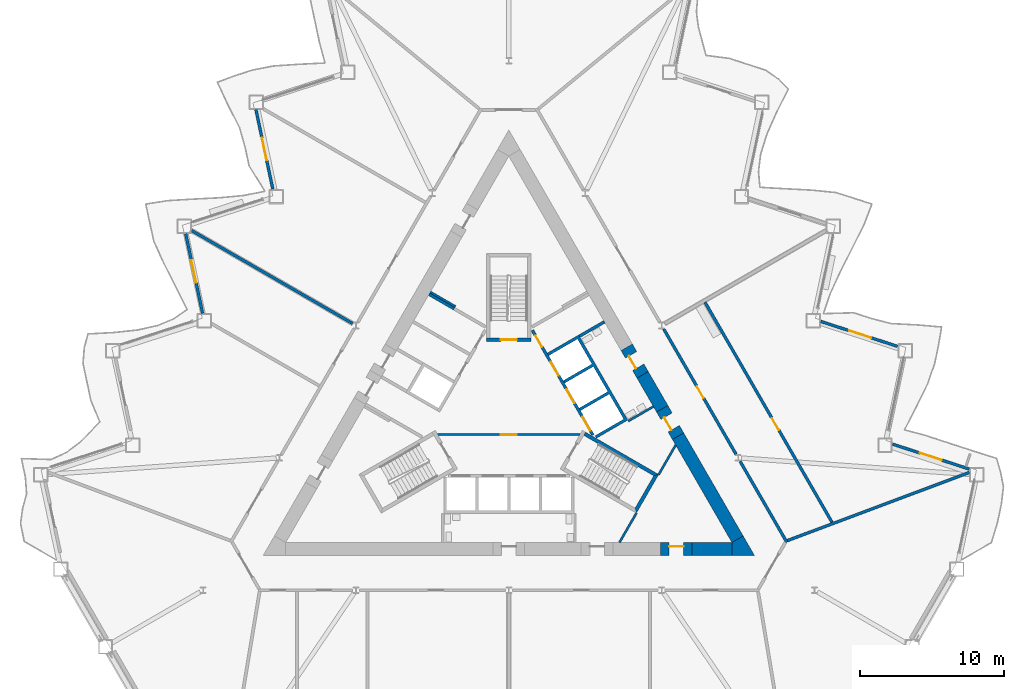
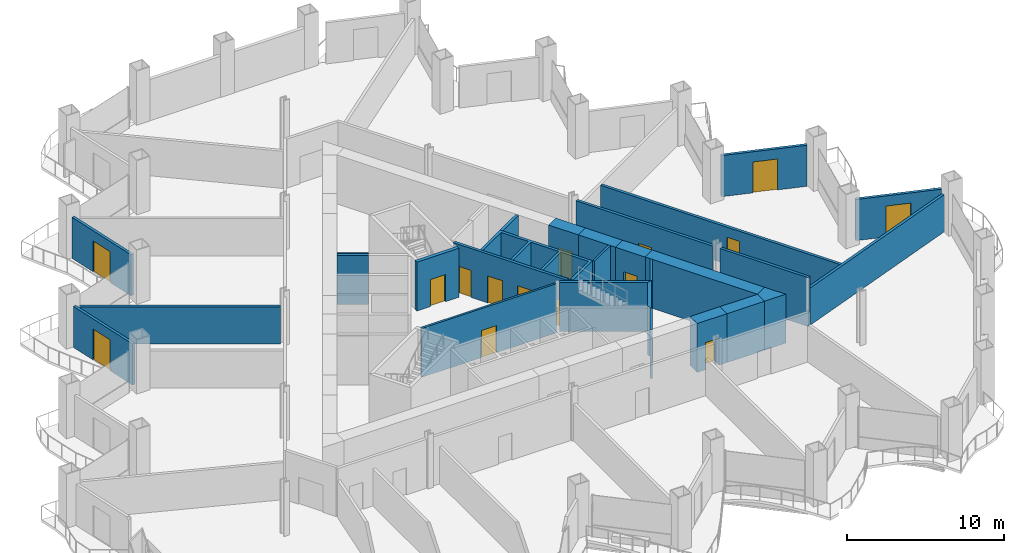
# One storey, part 11 of 20: 28 walls, 15 doors, 15 openings.
"""IFC4 building model written with IfcOpenShell, lengths in metres."""

import ifcopenshell
import ifcopenshell.guid

model = None  # the IFC model being written
_history = None  # IfcOwnerHistory: only IFC2X3 demands one
_inside = {}  # id of a spatial element -> (the spatial element, [elements in it])
_under = {}  # id of a project, library or spatial element -> (it, [spatial elements below it])
_declared = {}  # id of a project -> (the project, [libraries it declares])
_typed = {}  # id of a type object -> (the type object, [elements of that type])
_made_of = {}  # id of a material, layer set ... -> (it, [elements and type objects made of it])


def new_model(schema):
    """Start an empty IFC model of exactly this schema.

    Asked for "IFC4X3", IfcOpenShell would pick the latest addendum, in which some entities
    have other attributes; the version numbers below select the first issue.
    IFC2X3 requires an IfcOwnerHistory on every rooted entity: one is made here for all.
    """
    global model, _history
    if schema == "IFC4X3":
        model = ifcopenshell.file(schema_version=(4, 3, 0, 0))
    else:
        model = ifcopenshell.file(schema=schema)
    _inside.clear()
    _under.clear()
    _declared.clear()
    _typed.clear()
    _made_of.clear()
    _history = None
    if model.schema == "IFC2X3":
        org = make("IfcOrganization", Name="unknown")
        user = make(
            "IfcPersonAndOrganization",
            ThePerson=make("IfcPerson", FamilyName="unknown"),
            TheOrganization=org,
        )
        app = make(
            "IfcApplication",
            ApplicationDeveloper=org,
            Version="unknown",
            ApplicationFullName="unknown",
            ApplicationIdentifier="unknown",
        )
        _history = make(
            "IfcOwnerHistory",
            OwningUser=user,
            OwningApplication=app,
            ChangeAction="ADDED",
            CreationDate=0,
        )
    return model


def make(cls, **values):
    """One entity of the class cls with the attributes given. An attribute that is None is left unset."""
    return model.create_entity(
        cls, **{name: value for name, value in values.items() if value is not None}
    )


def rooted(cls, **values):
    """An entity with a GlobalId (a new one), such as an element, a storey or a relation."""
    return make(cls, GlobalId=ifcopenshell.guid.new(), OwnerHistory=_history, **values)


def si_unit(unit_type, name, prefix=None):
    """IfcSIUnit, for example si_unit("LENGTHUNIT", "METRE", prefix="MILLI")."""
    return make("IfcSIUnit", UnitType=unit_type, Prefix=prefix, Name=name)


def assignment(units):
    """IfcUnitAssignment: the units of a project."""
    return None if units is None else make("IfcUnitAssignment", Units=units)


def point(xyz):
    """IfcCartesianPoint."""
    return None if xyz is None else make("IfcCartesianPoint", Coordinates=xyz)


def direction(xyz):
    """IfcDirection."""
    return None if xyz is None else make("IfcDirection", DirectionRatios=xyz)


def frame(location, z_axis=None, x_axis=None):
    """IfcAxis2Placement3D, a coordinate frame: its origin and axes. An axis left out is left unset."""
    return make(
        "IfcAxis2Placement3D",
        Location=point(location),
        Axis=direction(z_axis),
        RefDirection=direction(x_axis),
    )


def frame_2d(location, x_axis=None):
    """IfcAxis2Placement2D, a coordinate frame in the plane: its origin and x axis."""
    return make(
        "IfcAxis2Placement2D", Location=point(location), RefDirection=direction(x_axis)
    )


def origin():
    """The frame at (0, 0, 0) with its axes left unset."""
    return frame((0.0, 0.0, 0.0))


def place(relative_to, where):
    """IfcLocalPlacement: puts the frame where relative to a parent placement (None: the world)."""
    return make(
        "IfcLocalPlacement", PlacementRelTo=relative_to, RelativePlacement=where
    )


def context(
    kind, dimensions, precision=None, world=None, true_north=None, identifier=None
):
    """IfcGeometricRepresentationContext, for example the 3D "Model" context."""
    return make(
        "IfcGeometricRepresentationContext",
        ContextIdentifier=identifier,
        ContextType=kind,
        CoordinateSpaceDimension=dimensions,
        Precision=precision,
        WorldCoordinateSystem=world,
        TrueNorth=true_north,
    )


def subcontext(parent, identifier, kind, view, scale=None):
    """IfcGeometricRepresentationSubContext, for example "Body" below "Model"."""
    return make(
        "IfcGeometricRepresentationSubContext",
        ContextIdentifier=identifier,
        ContextType=kind,
        ParentContext=parent,
        TargetScale=scale,
        TargetView=view,
    )


def project(units=None, contexts=None):
    """IfcProject with its units and contexts."""
    return rooted(
        "IfcProject",
        Name="project",
        RepresentationContexts=contexts,
        UnitsInContext=assignment(units),
    )


def spatial(cls, under=None, at=None, **own):
    """A site, building, storey or space (cls), placed at a placement, below another one or the project."""
    s = rooted(cls, ObjectPlacement=at, **own)
    if under is not None:
        _under.setdefault(under.id(), (under, []))[1].append(s)
    return s


def polyline(points):
    """IfcPolyline through the points."""
    return make("IfcPolyline", Points=[point(p) for p in points])


def profile(cls, at=None, kind="AREA", **sizes):
    """A parametric profile (cls). Its sizes go by their IFC names, for example OverallWidth=200.0."""
    return make(cls, ProfileType=kind, Position=at, **sizes)


def rectangle(**sizes):
    """IfcRectangleProfileDef."""
    return profile("IfcRectangleProfileDef", **sizes)


def outline(outer, holes=None, kind="AREA"):
    """IfcArbitraryClosedProfileDef: a profile drawn as a closed curve; with holes, ...WithVoids."""
    if holes is None:
        return make("IfcArbitraryClosedProfileDef", ProfileType=kind, OuterCurve=outer)
    return make(
        "IfcArbitraryProfileDefWithVoids",
        ProfileType=kind,
        OuterCurve=outer,
        InnerCurves=holes,
    )


def extrude(swept, where, along, depth):
    """IfcExtrudedAreaSolid: the profile swept, set in the frame where, extruded along a direction by depth."""
    return make(
        "IfcExtrudedAreaSolid",
        SweptArea=swept,
        Position=where,
        ExtrudedDirection=direction(along),
        Depth=depth,
    )


def shape(context_of_items, identifier, shape_type, items):
    """IfcShapeRepresentation: the items that make up one representation, for example the "Body"."""
    return make(
        "IfcShapeRepresentation",
        ContextOfItems=context_of_items,
        RepresentationIdentifier=identifier,
        RepresentationType=shape_type,
        Items=items,
    )


def material(Name=None, Category=None):
    """IfcMaterial."""
    return make("IfcMaterial", Name=Name, Category=Category)


def layer(
    of_material, thickness, ventilated=None, Name=None, Category=None, Priority=None
):
    """IfcMaterialLayer: one layer of a wall or slab, of a material (None: an air gap)."""
    return make(
        "IfcMaterialLayer",
        Material=of_material,
        LayerThickness=thickness,
        IsVentilated=ventilated,
        Name=Name,
        Category=Category,
        Priority=Priority,
    )


def layer_set(layers, Name=None):
    """IfcMaterialLayerSet."""
    return make("IfcMaterialLayerSet", MaterialLayers=layers, LayerSetName=Name)


def made_of(thing, what):
    """Note that an element or type object is made of a material, layer set ...; save() writes the relation."""
    if what is not None:
        _made_of.setdefault(what.id(), (what, []))[1].append(thing)
    return thing


def type_object(cls, material=None, **own):
    """A type object (cls), such as IfcWallType, which elements share."""
    return made_of(rooted(cls, **own), material)


def element(
    cls,
    number,
    at=None,
    inside=None,
    cuts=None,
    type_object=None,
    material=None,
    context=None,
    identifier="Body",
    shape_type=None,
    held_by="IfcProductDefinitionShape",
    body=None,
    shapes=None,
    **own,
):
    """One element of the class cls, such as IfcWall. Its Tag is "e" and its number.

    at: its placement. inside: the storey or other place that contains it. cuts: it is an
    opening in that element (IfcRelVoidsElement). A single representation is given by context,
    identifier, shape_type and body (its items); several are given by shapes. held_by: the class
    of the entity that holds the representations. save() writes the other relations.
    """
    e = rooted(cls, Tag="e%d" % number, ObjectPlacement=at, **own)
    if body is not None:
        shapes = [shape(context, identifier, shape_type, body)]
    if shapes is not None:
        e.Representation = make(held_by, Representations=shapes)
    if inside is not None:
        _inside.setdefault(inside.id(), (inside, []))[1].append(e)
    if cuts is not None:
        rooted(
            "IfcRelVoidsElement", RelatingBuildingElement=cuts, RelatedOpeningElement=e
        )
    if type_object is not None:
        _typed.setdefault(type_object.id(), (type_object, []))[1].append(e)
    return made_of(e, material)


def fill(opening, filler):
    """IfcRelFillsElement: the door or window that sits in an opening."""
    return rooted(
        "IfcRelFillsElement",
        RelatingOpeningElement=opening,
        RelatedBuildingElement=filler,
    )


def aggregate(whole, parts):
    """IfcRelAggregates: a whole, such as a stair, and the parts it consists of."""
    return rooted("IfcRelAggregates", RelatingObject=whole, RelatedObjects=parts)


def save(model, path):
    """Write the relations noted so far, then the file.

    IfcRelAggregates (storeys below a building ...), IfcRelContainedInSpatialStructure (elements
    in a storey), IfcRelDefinesByType, IfcRelAssociatesMaterial and IfcRelDeclares: one each for
    every whole, place, type object, material and project.
    """
    for whole, parts in _under.values():
        aggregate(whole, parts)
    for where, things in _inside.values():
        rooted(
            "IfcRelContainedInSpatialStructure",
            RelatedElements=things,
            RelatingStructure=where,
        )
    for kind, things in _typed.values():
        rooted("IfcRelDefinesByType", RelatedObjects=things, RelatingType=kind)
    for what, things in _made_of.values():
        rooted("IfcRelAssociatesMaterial", RelatedObjects=things, RelatingMaterial=what)
    for by, libraries in _declared.values():
        rooted("IfcRelDeclares", RelatingContext=by, RelatedDefinitions=libraries)
    model.write(path)


model = new_model("IFC4")

# Units and contexts
model_context = context("Model", 3, precision=1e-05, world=origin(), true_north=direction((0.0, 1.0)))
body_context = subcontext(model_context, "Body", "Model", "MODEL_VIEW")
ifc_project = project(units=[si_unit("LENGTHUNIT", "METRE"), si_unit("AREAUNIT", "SQUARE_METRE"), si_unit("VOLUMEUNIT", "CUBIC_METRE"), si_unit("PLANEANGLEUNIT", "RADIAN"), si_unit("MASSUNIT", "GRAM", prefix="KILO")], contexts=[model_context])

# Site, building, storey
site_placement = place(None, origin())
site = spatial("IfcSite", under=ifc_project, at=site_placement, CompositionType="ELEMENT")
building_placement = place(site_placement, origin())
building = spatial("IfcBuilding", under=site, at=building_placement, Name="Cormorant Prow Tower", CompositionType="ELEMENT")
storey_placement = place(building_placement, frame((0.0, 0.0, 59.39990234375)))
storey = spatial("IfcBuildingStorey", under=building, at=storey_placement, Name="L12", CompositionType="ELEMENT", Elevation=59.39990234375)

# Wall, opening, door
ifc_material_1 = material(Name="Gypsum board partition")
ifc_layer_1 = layer(ifc_material_1, 0.14990234375)
ifc_layer_set_1 = layer_set([ifc_layer_1], Name="Gypsum board partition")
wall_type_1 = type_object("IfcWallType", Name="Core partition 150", PredefinedType="PARTITIONING", material=ifc_layer_set_1)
wall_1_placement = place(storey_placement, frame((-4.941162109375, -1.449951171875, 0.0), z_axis=(0.0, 0.0, 1.0), x_axis=(1.0, 0.0, 0.0)))
wall_1 = element("IfcWall", 1, at=wall_1_placement, inside=storey, type_object=wall_type_1, Name="Firefighting lobby partition", PredefinedType="PARTITIONING", context=body_context, shape_type="SweptSolid", body=[
    extrude(rectangle(XDim=9.88232421875, YDim=0.14990234375, at=frame_2d((4.941162109375, 0.0))), origin(), (0.0, 0.0, 1.0), 3.800048828125),
])
opening_1_placement = place(wall_1_placement, frame((4.39111328125, 0.0, 0.0)))
opening_1 = element("IfcOpeningElement", 2, at=opening_1_placement, cuts=wall_1, Name="Opening L12-C11", PredefinedType="OPENING", context=body_context, shape_type="SweptSolid", body=[
    extrude(rectangle(XDim=1.10009765625, YDim=2.10009765625, at=frame_2d((0.550048828125, 1.050048828125))), frame((0.0, 0.0849609375, 0.0), z_axis=(0.0, -1.0, 0.0), x_axis=(1.0, 0.0, 0.0)), (0.0, 0.0, 1.0), 0.169921875),
])
ifc_material_2 = material(Name="Painted steel", Category="steel")
door_type_1 = type_object("IfcDoorType", Name="Firefighting lobby door 1100x2100", OperationType="NOTDEFINED", PredefinedType="DOOR", material=ifc_material_2)
door_1_placement = place(opening_1_placement, origin())
door_1 = element("IfcDoor", 3, at=door_1_placement, inside=storey, type_object=door_type_1, Name="Firefighting lobby door", OperationType="SINGLE_SWING_RIGHT", OverallHeight=2.10009765625, OverallWidth=1.10009765625, PredefinedType="DOOR", context=body_context, shape_type="SweptSolid", body=[
    extrude(rectangle(XDim=1.10009765625, YDim=2.10009765625, at=frame_2d((0.550048828125, 1.050048828125))), frame((0.0, 0.02490234375, 0.0), z_axis=(0.0, -1.0, 0.0), x_axis=(1.0, 0.0, 0.0)), (0.0, 0.0, 1.0), 0.050048828125),
])
fill(opening_1, door_1)

# Walls
for number, where, z_axis, x_axis, name in (
    (4, (8.268310546875, -0.509033203125, 0.0), (0.0, 0.0, 1.0), (0.866035824272, 0.499981950752, 0.0), "Service room partition"),
    (5, (-3.693359375, 7.4150390625, 0.0), (0.0, 0.0, 1.0), (-0.866035824272, 0.499981950752, 0.0), "Service room partition"),
):
    element("IfcWall", number, at=place(storey_placement, frame(where, z_axis=z_axis, x_axis=x_axis)), inside=storey, type_object=wall_type_1, Name=name, PredefinedType="PARTITIONING", context=body_context, shape_type="SweptSolid", body=[
        extrude(rectangle(XDim=2.0087890625, YDim=0.14990234375, at=frame_2d((1.00439453125, 0.0))), origin(), (0.0, 0.0, 1.0), 3.800048828125),
    ])
wall_2_placement = place(storey_placement, frame((8.82958984375, -6.880615234375, 0.0), z_axis=(0.0, 0.0, 1.0), x_axis=(-0.500073279432, -0.865983091751, 0.0)))
element("IfcWall", 6, at=wall_2_placement, inside=storey, type_object=wall_type_1, Name="Service room partition", PredefinedType="PARTITIONING", context=body_context, shape_type="SweptSolid", body=[
    extrude(rectangle(XDim=2.349365234375, YDim=0.14990234375, at=frame_2d((1.1748046875, 0.0))), origin(), (0.0, 0.0, 1.0), 3.800048828125),
])
wall_3_placement = place(storey_placement, frame((10.37353515625, -4.206298828125, 0.0), z_axis=(0.0, 0.0, 1.0), x_axis=(0.499995339376, 0.86602809458, 0.0)))
element("IfcWall", 7, at=wall_3_placement, inside=storey, type_object=wall_type_1, Name="Service room partition", PredefinedType="PARTITIONING", context=body_context, shape_type="SweptSolid", body=[
    extrude(rectangle(XDim=2.34912109375, YDim=0.14990234375, at=frame_2d((1.174560546875, 0.0))), origin(), (0.0, 0.0, 1.0), 3.800048828125),
])
ifc_material_3 = material(Name="Concrete 8000 psi", Category="concrete")
ifc_layer_2 = layer(ifc_material_3, 0.89990234375)
ifc_layer_set_2 = layer_set([ifc_layer_2], Name="Concrete 8000 psi")
wall_type_2 = type_object("IfcWallType", Name="Core shear wall 900", PredefinedType="SHEAR", material=ifc_layer_set_2)
wall_4_placement = place(storey_placement, frame((12.69140625, -9.364990234375, 0.0), z_axis=(0.0, 0.0, 1.0), x_axis=(1.0, 0.0, 0.0)))
element("IfcWall", 8, at=wall_4_placement, inside=storey, type_object=wall_type_2, Name="Core wall", PredefinedType="SHEAR", context=body_context, shape_type="SweptSolid", body=[
    extrude(rectangle(XDim=2.749755859375, YDim=0.89990234375, at=frame_2d((1.375, 0.0))), origin(), (0.0, 0.0, 1.0), 3.800048828125),
])
wall_5_placement = place(storey_placement, frame((15.830810546875, -8.68994140625, 0.0), z_axis=(0.0, 0.0, 1.0), x_axis=(-0.499995435471, 0.8660280391, 0.0)))
element("IfcWall", 9, at=wall_5_placement, inside=storey, type_object=wall_type_2, Name="Core wall", PredefinedType="SHEAR", context=body_context, shape_type="SweptSolid", body=[
    extrude(rectangle(XDim=8.23193359375, YDim=0.89990234375, at=frame_2d((4.115966796875, 0.0))), origin(), (0.0, 0.0, 1.0), 3.800048828125),
])
wall_6_placement = place(storey_placement, frame((10.614990234375, 0.344482421875, 0.0), z_axis=(0.0, 0.0, 1.0), x_axis=(-0.500044870432, 0.865999496279, 0.0)))
element("IfcWall", 10, at=wall_6_placement, inside=storey, type_object=wall_type_2, Name="Core wall", PredefinedType="SHEAR", context=body_context, shape_type="SweptSolid", body=[
    extrude(rectangle(XDim=2.709228515625, YDim=0.89990234375, at=frame_2d((1.3544921875, 0.0))), origin(), (0.0, 0.0, 1.0), 3.800048828125),
])
wall_7_placement = place(storey_placement, origin())
element("IfcWall", 11, at=wall_7_placement, inside=storey, type_object=wall_type_2, Name="Core wall corner", PredefinedType="SHEAR", context=body_context, shape_type="SweptSolid", body=[
    extrude(outline(polyline([(15.441162109375, -9.81494140625), (15.441162109375, -8.9150390625), (16.220703125, -8.465087890625), (17.0, -9.81494140625), (15.441162109375, -9.81494140625)])), origin(), (0.0, 0.0, 1.0), 3.800048828125),
])

# Wall, opening, door
wall_8_placement = place(storey_placement, frame((10.491455078125, -9.364990234375, 0.0), z_axis=(0.0, 0.0, 1.0), x_axis=(1.0, 0.0, 0.0)))
wall_8 = element("IfcWall", 12, at=wall_8_placement, inside=storey, type_object=wall_type_2, Name="Core wall door panel", PredefinedType="SHEAR", context=body_context, shape_type="SweptSolid", body=[
    extrude(rectangle(XDim=2.199951171875, YDim=0.89990234375, at=frame_2d((1.10009765625, 0.0))), origin(), (0.0, 0.0, 1.0), 3.800048828125),
])
opening_2_placement = place(wall_8_placement, frame((0.60009765625, 0.0, 0.0)))
opening_2 = element("IfcOpeningElement", 13, at=opening_2_placement, cuts=wall_8, Name="Opening L12-C17", PredefinedType="OPENING", context=body_context, shape_type="SweptSolid", body=[
    extrude(rectangle(XDim=1.0, YDim=2.10009765625, at=frame_2d((0.5, 1.050048828125))), frame((0.0, 0.4599609375, 0.0), z_axis=(0.0, -1.0, 0.0), x_axis=(1.0, 0.0, 0.0)), (0.0, 0.0, 1.0), 0.919921875),
])
ifc_material_4 = material(Name="Painted steel", Category="steel")
door_type_2 = type_object("IfcDoorType", Name="Service door 1000x2100", OperationType="NOTDEFINED", PredefinedType="DOOR", material=ifc_material_4)
door_2_placement = place(opening_2_placement, origin())
door_2 = element("IfcDoor", 14, at=door_2_placement, inside=storey, type_object=door_type_2, Name="Core door, Mechanical riser room", OperationType="SINGLE_SWING_LEFT", OverallHeight=2.10009765625, OverallWidth=1.0, PredefinedType="DOOR", context=body_context, shape_type="SweptSolid", body=[
    extrude(rectangle(XDim=1.0, YDim=2.10009765625, at=frame_2d((0.5, 1.050048828125))), frame((0.0, 0.205078125, 0.0), z_axis=(0.0, -1.0, 0.0), x_axis=(1.0, 0.0, 0.0)), (0.0, 0.0, 1.0), 0.050048828125),
])
fill(opening_2, door_2)

wall_9_placement = place(storey_placement, frame((9.26025390625, 2.690673828125, 0.0), z_axis=(0.0, 0.0, 1.0), x_axis=(-0.499946605688, 0.86605622881, 0.0)))
wall_9 = element("IfcWall", 15, at=wall_9_placement, inside=storey, type_object=wall_type_2, Name="Core wall door panel", PredefinedType="SHEAR", context=body_context, shape_type="SweptSolid", body=[
    extrude(rectangle(XDim=2.199951171875, YDim=0.89990234375, at=frame_2d((1.10009765625, 0.0))), origin(), (0.0, 0.0, 1.0), 3.800048828125),
])
opening_3_placement = place(wall_9_placement, frame((0.60009765625, 0.0, 0.0)))
opening_3 = element("IfcOpeningElement", 16, at=opening_3_placement, cuts=wall_9, Name="Opening L12-C18", PredefinedType="OPENING", context=body_context, shape_type="SweptSolid", body=[
    extrude(rectangle(XDim=1.0, YDim=2.10009765625, at=frame_2d((0.5, 1.050048828125))), frame((0.0, 0.4599609375, 0.0), z_axis=(0.0, -1.0, 0.0), x_axis=(1.0, 0.0, 0.0)), (0.0, 0.0, 1.0), 0.919921875),
])
door_3_placement = place(opening_3_placement, origin())
door_3 = element("IfcDoor", 17, at=door_3_placement, inside=storey, type_object=door_type_2, Name="Core door, Toilets (men) L12", OperationType="SINGLE_SWING_RIGHT", OverallHeight=2.10009765625, OverallWidth=1.0, PredefinedType="DOOR", context=body_context, shape_type="SweptSolid", body=[
    extrude(rectangle(XDim=1.0, YDim=2.10009765625, at=frame_2d((0.5, 1.050048828125))), frame((0.0, 0.205078125, 0.0), z_axis=(0.0, -1.0, 0.0), x_axis=(1.0, 0.0, 0.0)), (0.0, 0.0, 1.0), 0.050048828125),
])
fill(opening_3, door_3)

wall_10_placement = place(storey_placement, frame((11.71484375, -1.560791015625, 0.0), z_axis=(0.0, 0.0, 1.0), x_axis=(-0.499946605688, 0.86605622881, 0.0)))
wall_10 = element("IfcWall", 18, at=wall_10_placement, inside=storey, type_object=wall_type_2, Name="Core wall door panel", PredefinedType="SHEAR", context=body_context, shape_type="SweptSolid", body=[
    extrude(rectangle(XDim=2.199951171875, YDim=0.89990234375, at=frame_2d((1.10009765625, 0.0))), origin(), (0.0, 0.0, 1.0), 3.800048828125),
])
opening_4_placement = place(wall_10_placement, frame((0.60009765625, 0.0, 0.0)))
opening_4 = element("IfcOpeningElement", 19, at=opening_4_placement, cuts=wall_10, Name="Opening L12-C21", PredefinedType="OPENING", context=body_context, shape_type="SweptSolid", body=[
    extrude(rectangle(XDim=1.0, YDim=2.10009765625, at=frame_2d((0.5, 1.050048828125))), frame((0.0, 0.4599609375, 0.0), z_axis=(0.0, -1.0, 0.0), x_axis=(1.0, 0.0, 0.0)), (0.0, 0.0, 1.0), 0.919921875),
])
door_4_placement = place(opening_4_placement, origin())
door_4 = element("IfcDoor", 20, at=door_4_placement, inside=storey, type_object=door_type_2, Name="Core door, Mechanical riser room", OperationType="SINGLE_SWING_LEFT", OverallHeight=2.10009765625, OverallWidth=1.0, PredefinedType="DOOR", context=body_context, shape_type="SweptSolid", body=[
    extrude(rectangle(XDim=1.0, YDim=2.10009765625, at=frame_2d((0.5, 1.050048828125))), frame((0.0, 0.205078125, 0.0), z_axis=(0.0, -1.0, 0.0), x_axis=(1.0, 0.0, 0.0)), (0.0, 0.0, 1.0), 0.050048828125),
])
fill(opening_4, door_4)

ifc_material_5 = material(Name="Gypsum board corridor wall")
ifc_layer_3 = layer(ifc_material_5, 0.199951171875)
ifc_layer_set_3 = layer_set([ifc_layer_3], Name="Gypsum board corridor wall")
wall_type_3 = type_object("IfcWallType", Name="Corridor wall 200", PredefinedType="PARTITIONING", material=ifc_layer_set_3)
wall_11_placement = place(storey_placement, frame((10.718505859375, 5.865234375, 0.0), z_axis=(0.0, 0.0, 1.0), x_axis=(0.49999175339, -0.866030164915, 0.0)))
wall_11 = element("IfcWall", 21, at=wall_11_placement, inside=storey, type_object=wall_type_3, Name="Corridor wall", PredefinedType="PARTITIONING", context=body_context, shape_type="SweptSolid", body=[
    extrude(rectangle(XDim=10.018798828125, YDim=0.199951171875, at=frame_2d((5.00927734375, 0.0))), origin(), (0.0, 0.0, 1.0), 3.800048828125),
])
opening_5_placement = place(wall_11_placement, frame((4.5849609375, 0.0, 0.0)))
opening_5 = element("IfcOpeningElement", 22, at=opening_5_placement, cuts=wall_11, Name="Opening L12-F07", PredefinedType="OPENING", context=body_context, shape_type="SweptSolid", body=[
    extrude(rectangle(XDim=0.949951171875, YDim=2.10009765625, at=frame_2d((0.47509765625, 1.050048828125))), frame((0.0, 0.10986328125, 0.0), z_axis=(0.0, -1.0, 0.0), x_axis=(1.0, 0.0, 0.0)), (0.0, 0.0, 1.0), 0.219970703125),
])
ifc_material_6 = material(Name="Timber door leaf", Category="wood")
door_type_3 = type_object("IfcDoorType", Name="Store door 950x2100", OperationType="NOTDEFINED", PredefinedType="DOOR", material=ifc_material_6)
door_5_placement = place(opening_5_placement, origin())
door_5 = element("IfcDoor", 23, at=door_5_placement, inside=storey, type_object=door_type_3, Name="Tea point and pantry door", OperationType="SINGLE_SWING_RIGHT", OverallHeight=2.10009765625, OverallWidth=0.949951171875, PredefinedType="DOOR", context=body_context, shape_type="SweptSolid", body=[
    extrude(rectangle(XDim=0.949951171875, YDim=2.10009765625, at=frame_2d((0.47509765625, 1.050048828125))), frame((0.0, 0.02490234375, 0.0), z_axis=(0.0, -1.0, 0.0), x_axis=(1.0, 0.0, 0.0)), (0.0, 0.0, 1.0), 0.050048828125),
])
fill(opening_5, door_5)

# Wall
wall_12_placement = place(storey_placement, frame((16.007568359375, -3.2958984375, 0.0), z_axis=(0.0, 0.0, 1.0), x_axis=(0.499984737558, -0.86603421538, 0.0)))
element("IfcWall", 24, at=wall_12_placement, inside=storey, type_object=wall_type_3, Name="Corridor wall", PredefinedType="PARTITIONING", context=body_context, shape_type="SweptSolid", body=[
    extrude(rectangle(XDim=6.472900390625, YDim=0.199951171875, at=frame_2d((3.236328125, 0.0))), origin(), (0.0, 0.0, 1.0), 3.800048828125),
])

# Wall, opening, door
ifc_material_7 = material(Name="Gypsum board demising wall")
ifc_layer_4 = layer(ifc_material_7, 0.199951171875)
ifc_layer_set_4 = layer_set([ifc_layer_4], Name="Gypsum board demising wall")
wall_type_4 = type_object("IfcWallType", Name="Demising wall 200", PredefinedType="PARTITIONING", material=ifc_layer_set_4)
wall_13_placement = place(storey_placement, frame((13.572998046875, 7.720947265625, 0.0), z_axis=(0.0, 0.0, 1.0), x_axis=(0.499990262232, -0.866031025814, 0.0)))
wall_13 = element("IfcWall", 25, at=wall_13_placement, inside=storey, type_object=wall_type_4, Name="Demising wall", PredefinedType="PARTITIONING", context=body_context, shape_type="SweptSolid", body=[
    extrude(rectangle(XDim=17.597412109375, YDim=0.199951171875, at=frame_2d((8.798828125, 0.0))), origin(), (0.0, 0.0, 1.0), 2.885498046875),
])
opening_6_placement = place(wall_13_placement, frame((9.276611328125, 0.0, 0.0)))
opening_6 = element("IfcOpeningElement", 26, at=opening_6_placement, cuts=wall_13, Name="Opening L12-F08", PredefinedType="OPENING", context=body_context, shape_type="SweptSolid", body=[
    extrude(rectangle(XDim=0.949951171875, YDim=2.10009765625, at=frame_2d((0.47509765625, 1.050048828125))), frame((0.0, 0.10986328125, 0.0), z_axis=(0.0, -1.0, 0.0), x_axis=(1.0, 0.0, 0.0)), (0.0, 0.0, 1.0), 0.219970703125),
])
door_6_placement = place(opening_6_placement, origin())
door_6 = element("IfcDoor", 27, at=door_6_placement, inside=storey, type_object=door_type_3, Name="Print and copy room door", OperationType="SINGLE_SWING_LEFT", OverallHeight=2.10009765625, OverallWidth=0.949951171875, PredefinedType="DOOR", context=body_context, shape_type="SweptSolid", body=[
    extrude(rectangle(XDim=0.949951171875, YDim=2.10009765625, at=frame_2d((0.47509765625, 1.050048828125))), frame((0.0, 0.02490234375, 0.0), z_axis=(0.0, -1.0, 0.0), x_axis=(1.0, 0.0, 0.0)), (0.0, 0.0, 1.0), 0.050048828125),
])
fill(opening_6, door_6)

# Walls
wall_14_placement = place(storey_placement, frame((19.28759765625, -8.77978515625, 0.0), z_axis=(0.0, 0.0, 1.0), x_axis=(0.93644254502, 0.350820979814, 0.0)))
element("IfcWall", 28, at=wall_14_placement, inside=storey, type_object=wall_type_4, Name="Demising wall", PredefinedType="PARTITIONING", context=body_context, shape_type="SweptSolid", body=[
    extrude(rectangle(XDim=13.446533203125, YDim=0.199951171875, at=frame_2d((6.72314453125, 0.0))), origin(), (0.0, 0.0, 1.0), 2.885498046875),
])
wall_15_placement = place(storey_placement, frame((-21.947265625, 12.671142578125, 0.0), z_axis=(0.0, 0.0, 1.0), x_axis=(0.866026729935, -0.499997703033, 0.0)))
element("IfcWall", 29, at=wall_15_placement, inside=storey, type_object=wall_type_4, Name="Demising wall", PredefinedType="PARTITIONING", context=body_context, shape_type="SweptSolid", body=[
    extrude(rectangle(XDim=12.84765625, YDim=0.199951171875, at=frame_2d((6.423828125, 0.0))), origin(), (0.0, 0.0, 1.0), 2.885498046875),
])

# Wall, openings, doors
ifc_material_8 = material(Name="Concrete 5000 psi", Category="concrete")
ifc_layer_5 = layer(ifc_material_8, 0.199951171875)
ifc_layer_set_5 = layer_set([ifc_layer_5], Name="Concrete 5000 psi")
wall_type_5 = type_object("IfcWallType", Name="Lift lobby wall 200", PredefinedType="SOLIDWALL", material=ifc_layer_set_5)
wall_16_placement = place(storey_placement, frame((5.817138671875, -1.4755859375, 0.0), z_axis=(0.0, 0.0, 1.0), x_axis=(-0.500002616675, 0.866023893041, 0.0)))
wall_16 = element("IfcWall", 30, at=wall_16_placement, inside=storey, type_object=wall_type_5, Name="Lift lobby wall, ENE block", PredefinedType="SOLIDWALL", context=body_context, shape_type="SweptSolid", body=[
    extrude(rectangle(XDim=8.373046875, YDim=0.199951171875, at=frame_2d((4.1865234375, 0.0))), origin(), (0.0, 0.0, 1.0), 3.800048828125),
])
opening_7_placement = place(wall_16_placement, frame((0.336669921875, 0.0, 0.0)))
opening_7 = element("IfcOpeningElement", 31, at=opening_7_placement, cuts=wall_16, Name="Opening L12-C05", PredefinedType="OPENING", context=body_context, shape_type="SweptSolid", body=[
    extrude(rectangle(XDim=1.10009765625, YDim=2.10009765625, at=frame_2d((0.550048828125, 1.050048828125))), frame((0.0, 0.10986328125, 0.0), z_axis=(0.0, -1.0, 0.0), x_axis=(1.0, 0.0, 0.0)), (0.0, 0.0, 1.0), 0.219970703125),
])
opening_8_placement = place(wall_16_placement, frame((2.53662109375, 0.0, 0.0)))
opening_8 = element("IfcOpeningElement", 32, at=opening_8_placement, cuts=wall_16, Name="Opening L12-C06", PredefinedType="OPENING", context=body_context, shape_type="SweptSolid", body=[
    extrude(rectangle(XDim=1.10009765625, YDim=2.10009765625, at=frame_2d((0.550048828125, 1.050048828125))), frame((0.0, 0.10986328125, 0.0), z_axis=(0.0, -1.0, 0.0), x_axis=(1.0, 0.0, 0.0)), (0.0, 0.0, 1.0), 0.219970703125),
])
opening_9_placement = place(wall_16_placement, frame((4.736572265625, 0.0, 0.0)))
opening_9 = element("IfcOpeningElement", 33, at=opening_9_placement, cuts=wall_16, Name="Opening L12-C07", PredefinedType="OPENING", context=body_context, shape_type="SweptSolid", body=[
    extrude(rectangle(XDim=1.10009765625, YDim=2.10009765625, at=frame_2d((0.550048828125, 1.050048828125))), frame((0.0, 0.10986328125, 0.0), z_axis=(0.0, -1.0, 0.0), x_axis=(1.0, 0.0, 0.0)), (0.0, 0.0, 1.0), 0.219970703125),
])
opening_10_placement = place(wall_16_placement, frame((7.03662109375, 0.0, 0.0)))
opening_10 = element("IfcOpeningElement", 34, at=opening_10_placement, cuts=wall_16, Name="Opening L12-C08", PredefinedType="OPENING", context=body_context, shape_type="SweptSolid", body=[
    extrude(rectangle(XDim=0.89990234375, YDim=2.10009765625, at=frame_2d((0.449951171875, 1.050048828125))), frame((0.0, 0.10986328125, 0.0), z_axis=(0.0, -1.0, 0.0), x_axis=(1.0, 0.0, 0.0)), (0.0, 0.0, 1.0), 0.219970703125),
])
ifc_material_9 = material(Name="Painted steel", Category="steel")
door_type_4 = type_object("IfcDoorType", Name="Lift landing door 1100x2100", OperationType="SLIDING_TO_LEFT", PredefinedType="DOOR", material=ifc_material_9)
door_7_placement = place(opening_7_placement, origin())
door_7 = element("IfcDoor", 35, at=door_7_placement, inside=storey, type_object=door_type_4, Name="Landing door LR2", OperationType="SLIDING_TO_LEFT", OverallHeight=2.10009765625, OverallWidth=1.10009765625, PredefinedType="DOOR", context=body_context, shape_type="SweptSolid", body=[
    extrude(rectangle(XDim=1.10009765625, YDim=2.10009765625, at=frame_2d((0.550048828125, 1.050048828125))), frame((0.0, 0.02490234375, 0.0), z_axis=(0.0, -1.0, 0.0), x_axis=(1.0, 0.0, 0.0)), (0.0, 0.0, 1.0), 0.050048828125),
])
fill(opening_7, door_7)
door_8_placement = place(opening_8_placement, origin())
door_8 = element("IfcDoor", 36, at=door_8_placement, inside=storey, type_object=door_type_4, Name="Landing door LR3", OperationType="SLIDING_TO_LEFT", OverallHeight=2.10009765625, OverallWidth=1.10009765625, PredefinedType="DOOR", context=body_context, shape_type="SweptSolid", body=[
    extrude(rectangle(XDim=1.10009765625, YDim=2.10009765625, at=frame_2d((0.550048828125, 1.050048828125))), frame((0.0, 0.02490234375, 0.0), z_axis=(0.0, -1.0, 0.0), x_axis=(1.0, 0.0, 0.0)), (0.0, 0.0, 1.0), 0.050048828125),
])
fill(opening_8, door_8)
door_9_placement = place(opening_9_placement, origin())
door_9 = element("IfcDoor", 37, at=door_9_placement, inside=storey, type_object=door_type_4, Name="Landing door LR4", OperationType="SLIDING_TO_LEFT", OverallHeight=2.10009765625, OverallWidth=1.10009765625, PredefinedType="DOOR", context=body_context, shape_type="SweptSolid", body=[
    extrude(rectangle(XDim=1.10009765625, YDim=2.10009765625, at=frame_2d((0.550048828125, 1.050048828125))), frame((0.0, 0.02490234375, 0.0), z_axis=(0.0, -1.0, 0.0), x_axis=(1.0, 0.0, 0.0)), (0.0, 0.0, 1.0), 0.050048828125),
])
fill(opening_9, door_9)
ifc_material_10 = material(Name="Painted steel", Category="steel")
door_type_5 = type_object("IfcDoorType", Name="Service door 900x2100", OperationType="NOTDEFINED", PredefinedType="DOOR", material=ifc_material_10)
door_10_placement = place(opening_10_placement, origin())
door_10 = element("IfcDoor", 38, at=door_10_placement, inside=storey, type_object=door_type_5, Name="Service door, Electrical room", OperationType="SINGLE_SWING_RIGHT", OverallHeight=2.10009765625, OverallWidth=0.89990234375, PredefinedType="DOOR", context=body_context, shape_type="SweptSolid", body=[
    extrude(rectangle(XDim=0.89990234375, YDim=2.10009765625, at=frame_2d((0.449951171875, 1.050048828125))), frame((0.0, 0.02490234375, 0.0), z_axis=(0.0, -1.0, 0.0), x_axis=(1.0, 0.0, 0.0)), (0.0, 0.0, 1.0), 0.050048828125),
])
fill(opening_10, door_10)

# Walls
ifc_material_11 = material(Name="Concrete 8000 psi", Category="concrete")
ifc_layer_6 = layer(ifc_material_11, 0.199951171875)
ifc_layer_set_6 = layer_set([ifc_layer_6], Name="Concrete 8000 psi")
wall_type_6 = type_object("IfcWallType", Name="Lift shaft wall 200", PredefinedType="SHEAR", material=ifc_layer_set_6)
wall_17_placement = place(storey_placement, origin())
element("IfcWall", 39, at=wall_17_placement, inside=storey, type_object=wall_type_6, Name="Lift shaft walls, ENE block", PredefinedType="SHEAR", context=body_context, shape_type="SweptSolid", body=[
    extrude(outline(polyline([(2.660400390625, 4.19189453125), (4.830810546875, 5.44482421875), (8.230712890625, -0.444091796875), (6.060546875, -1.697021484375), (5.96044921875, -1.52392578125), (7.952392578125, -0.373779296875), (6.952392578125, 1.358154296875), (4.96044921875, 0.2080078125), (4.860595703125, 0.38134765625), (6.852294921875, 1.53125), (5.852294921875, 3.263427734375), (3.860595703125, 2.11328125), (3.760498046875, 2.28662109375), (5.75244140625, 3.4365234375), (4.75244140625, 5.168701171875), (2.760498046875, 4.018798828125), (2.660400390625, 4.19189453125)])), origin(), (0.0, 0.0, 1.0), 3.800048828125),
])
wall_18_placement = place(storey_placement, frame((4.880859375, 5.3583984375, 0.0), z_axis=(0.0, 0.0, 1.0), x_axis=(0.866035824272, 0.499981950752, 0.0)))
element("IfcWall", 40, at=wall_18_placement, inside=storey, type_object=wall_type_6, Name="Store side wall", PredefinedType="SHEAR", context=body_context, shape_type="SweptSolid", body=[
    extrude(rectangle(XDim=2.0087890625, YDim=0.199951171875, at=frame_2d((1.00439453125, 0.0))), origin(), (0.0, 0.0, 1.0), 3.800048828125),
])
wall_19_placement = place(storey_placement, frame((-3.78076171875, 7.263427734375, 0.0), z_axis=(0.0, 0.0, 1.0), x_axis=(-0.865983199114, 0.50007309351, 0.0)))
element("IfcWall", 41, at=wall_19_placement, inside=storey, type_object=wall_type_6, Name="Store side wall", PredefinedType="SHEAR", context=body_context, shape_type="SweptSolid", body=[
    extrude(rectangle(XDim=2.009033203125, YDim=0.199951171875, at=frame_2d((1.00439453125, 0.0))), origin(), (0.0, 0.0, 1.0), 3.800048828125),
])
ifc_material_12 = material(Name="Concrete 8000 psi", Category="concrete")
ifc_layer_7 = layer(ifc_material_12, 0.25)
ifc_layer_set_7 = layer_set([ifc_layer_7], Name="Concrete 8000 psi")
wall_type_7 = type_object("IfcWallType", Name="Stair wall 250", PredefinedType="SHEAR", material=ifc_layer_set_7)
wall_20_placement = place(storey_placement, origin())
element("IfcWall", 42, at=wall_20_placement, inside=storey, type_object=wall_type_7, Name="Stair ST2 enclosure wall (end)", PredefinedType="SHEAR", context=body_context, shape_type="SweptSolid", body=[
    extrude(outline(polyline([(8.82958984375, -6.880615234375), (10.37353515625, -4.206298828125), (10.031982421875, -4.2978515625), (8.738037109375, -6.5390625), (8.82958984375, -6.880615234375)])), origin(), (0.0, 0.0, 1.0), 3.800048828125),
])
wall_21_placement = place(storey_placement, origin())
element("IfcWall", 43, at=wall_21_placement, inside=storey, type_object=wall_type_7, Name="Stair ST2 enclosure wall (flank)", PredefinedType="SHEAR", context=body_context, shape_type="SweptSolid", body=[
    extrude(outline(polyline([(10.031982421875, -4.2978515625), (10.37353515625, -4.206298828125), (5.30712890625, -1.28125), (5.18212890625, -1.497802734375), (10.031982421875, -4.2978515625)])), origin(), (0.0, 0.0, 1.0), 3.800048828125),
])

# Wall, opening, door
wall_22_placement = place(storey_placement, frame((1.5439453125, 5.11181640625, 0.0), z_axis=(0.0, 0.0, 1.0), x_axis=(-1.0, 0.0, 0.0)))
wall_22 = element("IfcWall", 44, at=wall_22_placement, inside=storey, type_object=wall_type_7, Name="Stair ST3 door wall", PredefinedType="SHEAR", context=body_context, shape_type="SweptSolid", body=[
    extrude(rectangle(XDim=3.087890625, YDim=0.25, at=frame_2d((1.5439453125, 0.0))), origin(), (0.0, 0.0, 1.0), 3.800048828125),
])
opening_11_placement = place(wall_22_placement, frame((0.993896484375, 0.0, 0.0)))
opening_11 = element("IfcOpeningElement", 45, at=opening_11_placement, cuts=wall_22, Name="Opening L12-C14", PredefinedType="OPENING", context=body_context, shape_type="SweptSolid", body=[
    extrude(rectangle(XDim=1.10009765625, YDim=2.10009765625, at=frame_2d((0.550048828125, 1.050048828125))), frame((0.0, 0.135009765625, 0.0), z_axis=(0.0, -1.0, 0.0), x_axis=(1.0, 0.0, 0.0)), (0.0, 0.0, 1.0), 0.27001953125),
])
ifc_material_13 = material(Name="Painted steel", Category="steel")
door_type_6 = type_object("IfcDoorType", Name="Stair door 1100x2100", OperationType="NOTDEFINED", PredefinedType="DOOR", material=ifc_material_13)
door_11_placement = place(opening_11_placement, origin())
door_11 = element("IfcDoor", 46, at=door_11_placement, inside=storey, type_object=door_type_6, Name="Stair ST3 door", OperationType="SINGLE_SWING_LEFT", OverallHeight=2.10009765625, OverallWidth=1.10009765625, PredefinedType="DOOR", context=body_context, shape_type="SweptSolid", body=[
    extrude(rectangle(XDim=1.10009765625, YDim=2.10009765625, at=frame_2d((0.550048828125, 1.050048828125))), frame((0.0, 0.02490234375, 0.0), z_axis=(0.0, -1.0, 0.0), x_axis=(1.0, 0.0, 0.0)), (0.0, 0.0, 1.0), 0.050048828125),
])
fill(opening_11, door_11)

ifc_material_14 = material(Name="Terracotta", Category="masonry")
ifc_layer_8 = layer(ifc_material_14, 0.199951171875)
ifc_layer_set_8 = layer_set([ifc_layer_8], Name="Terracotta")
wall_type_8 = type_object("IfcWallType", Name="Terracotta jamb wall 200", PredefinedType="SOLIDWALL", material=ifc_layer_set_8)
wall_23_placement = place(storey_placement, frame((31.86474609375, -3.830078125, 0.0), z_axis=(0.0, 0.0, 1.0), x_axis=(-0.951054004345, 0.309024725255, 0.0)))
wall_23 = element("IfcWall", 47, at=wall_23_placement, inside=storey, type_object=wall_type_8, Name="Terracotta jamb wall ENE01", PredefinedType="SOLIDWALL", context=body_context, shape_type="SweptSolid", body=[
    extrude(rectangle(XDim=5.579345703125, YDim=0.199951171875, at=frame_2d((2.78955078125, 0.0))), origin(), (0.0, 0.0, 1.0), 3.18896484375),
])
opening_12_placement = place(wall_23_placement, frame((1.992431640625, 0.0, 0.0)))
opening_12 = element("IfcOpeningElement", 48, at=opening_12_placement, cuts=wall_23, Name="Opening ED12.06", PredefinedType="OPENING", context=body_context, shape_type="SweptSolid", body=[
    extrude(rectangle(XDim=1.60009765625, YDim=2.39990234375, at=frame_2d((0.800048828125, 1.199951171875))), frame((0.0, 0.10986328125, 0.0), z_axis=(0.0, -1.0, 0.0), x_axis=(1.0, 0.0, 0.0)), (0.0, 0.0, 1.0), 0.219970703125),
])
ifc_material_15 = material(Name="Aluminium 6063-T6", Category="aluminium")
door_type_7 = type_object("IfcDoorType", Name="Balcony door 1600x2400", OperationType="DOUBLE_DOOR_SINGLE_SWING", PredefinedType="DOOR", material=ifc_material_15)
door_12_placement = place(opening_12_placement, origin())
door_12 = element("IfcDoor", 49, at=door_12_placement, inside=storey, type_object=door_type_7, Name="Balcony door ENE01 ED12.06", OperationType="DOUBLE_DOOR_SINGLE_SWING", OverallHeight=2.39990234375, OverallWidth=1.60009765625, PredefinedType="DOOR", context=body_context, shape_type="SweptSolid", body=[
    extrude(rectangle(XDim=1.60009765625, YDim=2.39990234375, at=frame_2d((0.800048828125, 1.199951171875))), frame((0.0, 0.02490234375, 0.0), z_axis=(0.0, -1.0, 0.0), x_axis=(1.0, 0.0, 0.0)), (0.0, 0.0, 1.0), 0.050048828125),
])
fill(opening_12, door_12)

wall_24_placement = place(storey_placement, frame((26.898681640625, 4.6611328125, 0.0), z_axis=(0.0, 0.0, 1.0), x_axis=(-0.951054004345, 0.309024725255, 0.0)))
wall_24 = element("IfcWall", 50, at=wall_24_placement, inside=storey, type_object=wall_type_8, Name="Terracotta jamb wall ENE03", PredefinedType="SOLIDWALL", context=body_context, shape_type="SweptSolid", body=[
    extrude(rectangle(XDim=5.579345703125, YDim=0.199951171875, at=frame_2d((2.78955078125, 0.0))), origin(), (0.0, 0.0, 1.0), 3.18896484375),
])
opening_13_placement = place(wall_24_placement, frame((1.91015625, 0.0, 0.0)))
opening_13 = element("IfcOpeningElement", 51, at=opening_13_placement, cuts=wall_24, Name="Opening ED12.07", PredefinedType="OPENING", context=body_context, shape_type="SweptSolid", body=[
    extrude(rectangle(XDim=1.60009765625, YDim=2.39990234375, at=frame_2d((0.800048828125, 1.199951171875))), frame((0.0, 0.10986328125, 0.0), z_axis=(0.0, -1.0, 0.0), x_axis=(1.0, 0.0, 0.0)), (0.0, 0.0, 1.0), 0.219970703125),
])
door_13_placement = place(opening_13_placement, origin())
door_13 = element("IfcDoor", 52, at=door_13_placement, inside=storey, type_object=door_type_7, Name="Balcony door ENE03 ED12.07", OperationType="DOUBLE_DOOR_SINGLE_SWING", OverallHeight=2.39990234375, OverallWidth=1.60009765625, PredefinedType="DOOR", context=body_context, shape_type="SweptSolid", body=[
    extrude(rectangle(XDim=1.60009765625, YDim=2.39990234375, at=frame_2d((0.800048828125, 1.199951171875))), frame((0.0, 0.02490234375, 0.0), z_axis=(0.0, -1.0, 0.0), x_axis=(1.0, 0.0, 0.0)), (0.0, 0.0, 1.0), 0.050048828125),
])
fill(opening_13, door_13)

wall_25_placement = place(storey_placement, frame((-17.50439453125, 21.050537109375, 0.0), z_axis=(0.0, 0.0, 1.0), x_axis=(0.207901831982, -0.978149696242, 0.0)))
wall_25 = element("IfcWall", 53, at=wall_25_placement, inside=storey, type_object=wall_type_8, Name="Terracotta jamb wall WNW03", PredefinedType="SOLIDWALL", context=body_context, shape_type="SweptSolid", body=[
    extrude(rectangle(XDim=5.626220703125, YDim=0.199951171875, at=frame_2d((2.81298828125, 0.0))), origin(), (0.0, 0.0, 1.0), 3.18896484375),
])
opening_14_placement = place(wall_25_placement, frame((1.998291015625, 0.0, 0.0)))
opening_14 = element("IfcOpeningElement", 54, at=opening_14_placement, cuts=wall_25, Name="Opening ED12.12", PredefinedType="OPENING", context=body_context, shape_type="SweptSolid", body=[
    extrude(rectangle(XDim=1.60009765625, YDim=2.39990234375, at=frame_2d((0.800048828125, 1.199951171875))), frame((0.0, 0.10986328125, 0.0), z_axis=(0.0, -1.0, 0.0), x_axis=(1.0, 0.0, 0.0)), (0.0, 0.0, 1.0), 0.219970703125),
])
door_14_placement = place(opening_14_placement, origin())
door_14 = element("IfcDoor", 55, at=door_14_placement, inside=storey, type_object=door_type_7, Name="Balcony door WNW03 ED12.12", OperationType="DOUBLE_DOOR_SINGLE_SWING", OverallHeight=2.39990234375, OverallWidth=1.60009765625, PredefinedType="DOOR", context=body_context, shape_type="SweptSolid", body=[
    extrude(rectangle(XDim=1.60009765625, YDim=2.39990234375, at=frame_2d((0.800048828125, 1.199951171875))), frame((0.0, 0.02490234375, 0.0), z_axis=(0.0, -1.0, 0.0), x_axis=(1.0, 0.0, 0.0)), (0.0, 0.0, 1.0), 0.050048828125),
])
fill(opening_14, door_14)

wall_26_placement = place(storey_placement, frame((-22.36328125, 12.448974609375, 0.0), z_axis=(0.0, 0.0, 1.0), x_axis=(0.207901831982, -0.978149696242, 0.0)))
wall_26 = element("IfcWall", 56, at=wall_26_placement, inside=storey, type_object=wall_type_8, Name="Terracotta jamb wall WNW05", PredefinedType="SOLIDWALL", context=body_context, shape_type="SweptSolid", body=[
    extrude(rectangle(XDim=5.626220703125, YDim=0.199951171875, at=frame_2d((2.81298828125, 0.0))), origin(), (0.0, 0.0, 1.0), 3.18896484375),
])
opening_15_placement = place(wall_26_placement, frame((1.859619140625, 0.0, 0.0)))
opening_15 = element("IfcOpeningElement", 57, at=opening_15_placement, cuts=wall_26, Name="Opening ED12.13", PredefinedType="OPENING", context=body_context, shape_type="SweptSolid", body=[
    extrude(rectangle(XDim=1.60009765625, YDim=2.39990234375, at=frame_2d((0.800048828125, 1.199951171875))), frame((0.0, 0.10986328125, 0.0), z_axis=(0.0, -1.0, 0.0), x_axis=(1.0, 0.0, 0.0)), (0.0, 0.0, 1.0), 0.219970703125),
])
door_15_placement = place(opening_15_placement, origin())
door_15 = element("IfcDoor", 58, at=door_15_placement, inside=storey, type_object=door_type_7, Name="Balcony door WNW05 ED12.13", OperationType="DOUBLE_DOOR_SINGLE_SWING", OverallHeight=2.39990234375, OverallWidth=1.60009765625, PredefinedType="DOOR", context=body_context, shape_type="SweptSolid", body=[
    extrude(rectangle(XDim=1.60009765625, YDim=2.39990234375, at=frame_2d((0.800048828125, 1.199951171875))), frame((0.0, 0.02490234375, 0.0), z_axis=(0.0, -1.0, 0.0), x_axis=(1.0, 0.0, 0.0)), (0.0, 0.0, 1.0), 0.050048828125),
])
fill(opening_15, door_15)

save(model, "model.ifc")
